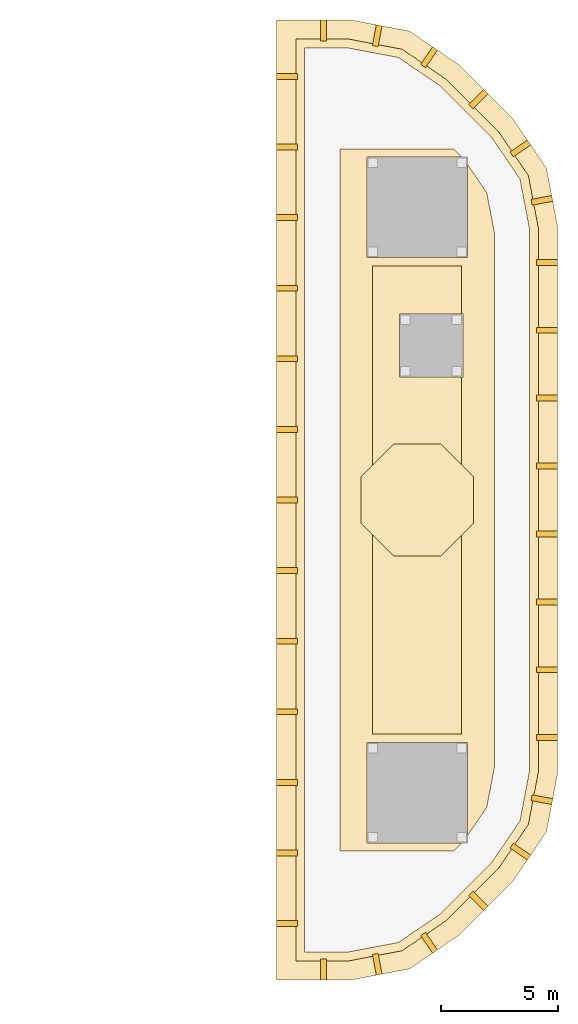
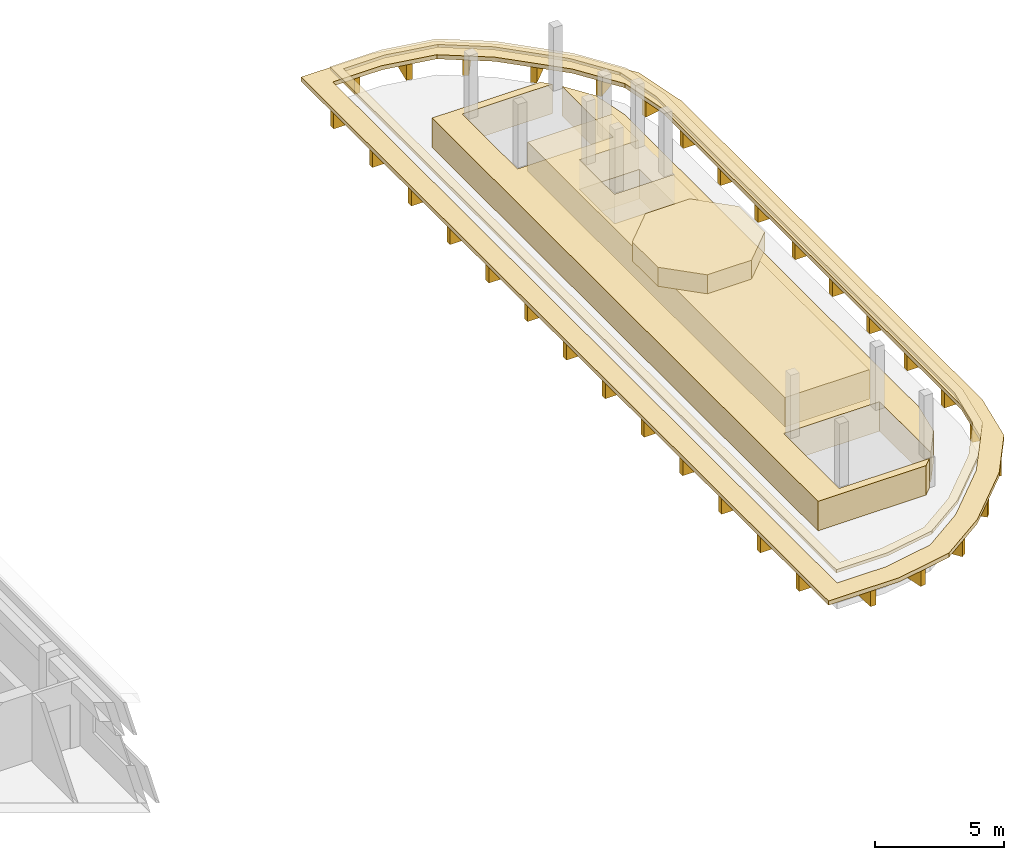
# One storey, part 8 of 8: 38 coverings.
"""IFC4 building model written with IfcOpenShell, lengths in metres."""

import ifcopenshell
import ifcopenshell.guid

model = None  # the IFC model being written
_history = None  # IfcOwnerHistory: only IFC2X3 demands one
_inside = {}  # id of a spatial element -> (the spatial element, [elements in it])
_under = {}  # id of a project, library or spatial element -> (it, [spatial elements below it])
_declared = {}  # id of a project -> (the project, [libraries it declares])
_typed = {}  # id of a type object -> (the type object, [elements of that type])
_made_of = {}  # id of a material, layer set ... -> (it, [elements and type objects made of it])


def new_model(schema):
    """Start an empty IFC model of exactly this schema.

    Asked for "IFC4X3", IfcOpenShell would pick the latest addendum, in which some entities
    have other attributes; the version numbers below select the first issue.
    IFC2X3 requires an IfcOwnerHistory on every rooted entity: one is made here for all.
    """
    global model, _history
    if schema == "IFC4X3":
        model = ifcopenshell.file(schema_version=(4, 3, 0, 0))
    else:
        model = ifcopenshell.file(schema=schema)
    _inside.clear()
    _under.clear()
    _declared.clear()
    _typed.clear()
    _made_of.clear()
    _history = None
    if model.schema == "IFC2X3":
        org = make("IfcOrganization", Name="unknown")
        user = make(
            "IfcPersonAndOrganization",
            ThePerson=make("IfcPerson", FamilyName="unknown"),
            TheOrganization=org,
        )
        app = make(
            "IfcApplication",
            ApplicationDeveloper=org,
            Version="unknown",
            ApplicationFullName="unknown",
            ApplicationIdentifier="unknown",
        )
        _history = make(
            "IfcOwnerHistory",
            OwningUser=user,
            OwningApplication=app,
            ChangeAction="ADDED",
            CreationDate=0,
        )
    return model


def make(cls, **values):
    """One entity of the class cls with the attributes given. An attribute that is None is left unset."""
    return model.create_entity(
        cls, **{name: value for name, value in values.items() if value is not None}
    )


def rooted(cls, **values):
    """An entity with a GlobalId (a new one), such as an element, a storey or a relation."""
    return make(cls, GlobalId=ifcopenshell.guid.new(), OwnerHistory=_history, **values)


def si_unit(unit_type, name, prefix=None):
    """IfcSIUnit, for example si_unit("LENGTHUNIT", "METRE", prefix="MILLI")."""
    return make("IfcSIUnit", UnitType=unit_type, Prefix=prefix, Name=name)


def assignment(units):
    """IfcUnitAssignment: the units of a project."""
    return None if units is None else make("IfcUnitAssignment", Units=units)


def point(xyz):
    """IfcCartesianPoint."""
    return None if xyz is None else make("IfcCartesianPoint", Coordinates=xyz)


def direction(xyz):
    """IfcDirection."""
    return None if xyz is None else make("IfcDirection", DirectionRatios=xyz)


def frame(location, z_axis=None, x_axis=None):
    """IfcAxis2Placement3D, a coordinate frame: its origin and axes. An axis left out is left unset."""
    return make(
        "IfcAxis2Placement3D",
        Location=point(location),
        Axis=direction(z_axis),
        RefDirection=direction(x_axis),
    )


def origin():
    """The frame at (0, 0, 0) with its axes left unset."""
    return frame((0.0, 0.0, 0.0))


def place(relative_to, where):
    """IfcLocalPlacement: puts the frame where relative to a parent placement (None: the world)."""
    return make(
        "IfcLocalPlacement", PlacementRelTo=relative_to, RelativePlacement=where
    )


def context(
    kind, dimensions, precision=None, world=None, true_north=None, identifier=None
):
    """IfcGeometricRepresentationContext, for example the 3D "Model" context."""
    return make(
        "IfcGeometricRepresentationContext",
        ContextIdentifier=identifier,
        ContextType=kind,
        CoordinateSpaceDimension=dimensions,
        Precision=precision,
        WorldCoordinateSystem=world,
        TrueNorth=true_north,
    )


def subcontext(parent, identifier, kind, view, scale=None):
    """IfcGeometricRepresentationSubContext, for example "Body" below "Model"."""
    return make(
        "IfcGeometricRepresentationSubContext",
        ContextIdentifier=identifier,
        ContextType=kind,
        ParentContext=parent,
        TargetScale=scale,
        TargetView=view,
    )


def project(units=None, contexts=None):
    """IfcProject with its units and contexts."""
    return rooted(
        "IfcProject",
        Name="project",
        RepresentationContexts=contexts,
        UnitsInContext=assignment(units),
    )


def spatial(cls, under=None, at=None, **own):
    """A site, building, storey or space (cls), placed at a placement, below another one or the project."""
    s = rooted(cls, ObjectPlacement=at, **own)
    if under is not None:
        _under.setdefault(under.id(), (under, []))[1].append(s)
    return s


def polyline(points):
    """IfcPolyline through the points."""
    return make("IfcPolyline", Points=[point(p) for p in points])


def outline(outer, holes=None, kind="AREA"):
    """IfcArbitraryClosedProfileDef: a profile drawn as a closed curve; with holes, ...WithVoids."""
    if holes is None:
        return make("IfcArbitraryClosedProfileDef", ProfileType=kind, OuterCurve=outer)
    return make(
        "IfcArbitraryProfileDefWithVoids",
        ProfileType=kind,
        OuterCurve=outer,
        InnerCurves=holes,
    )


def extrude(swept, where, along, depth):
    """IfcExtrudedAreaSolid: the profile swept, set in the frame where, extruded along a direction by depth."""
    return make(
        "IfcExtrudedAreaSolid",
        SweptArea=swept,
        Position=where,
        ExtrudedDirection=direction(along),
        Depth=depth,
    )


def shape(context_of_items, identifier, shape_type, items):
    """IfcShapeRepresentation: the items that make up one representation, for example the "Body"."""
    return make(
        "IfcShapeRepresentation",
        ContextOfItems=context_of_items,
        RepresentationIdentifier=identifier,
        RepresentationType=shape_type,
        Items=items,
    )


def material(Name=None, Category=None):
    """IfcMaterial."""
    return make("IfcMaterial", Name=Name, Category=Category)


def layer(
    of_material, thickness, ventilated=None, Name=None, Category=None, Priority=None
):
    """IfcMaterialLayer: one layer of a wall or slab, of a material (None: an air gap)."""
    return make(
        "IfcMaterialLayer",
        Material=of_material,
        LayerThickness=thickness,
        IsVentilated=ventilated,
        Name=Name,
        Category=Category,
        Priority=Priority,
    )


def layer_set(layers, Name=None):
    """IfcMaterialLayerSet."""
    return make("IfcMaterialLayerSet", MaterialLayers=layers, LayerSetName=Name)


def made_of(thing, what):
    """Note that an element or type object is made of a material, layer set ...; save() writes the relation."""
    if what is not None:
        _made_of.setdefault(what.id(), (what, []))[1].append(thing)
    return thing


def type_object(cls, material=None, **own):
    """A type object (cls), such as IfcWallType, which elements share."""
    return made_of(rooted(cls, **own), material)


def element(
    cls,
    number,
    at=None,
    inside=None,
    cuts=None,
    type_object=None,
    material=None,
    context=None,
    identifier="Body",
    shape_type=None,
    held_by="IfcProductDefinitionShape",
    body=None,
    shapes=None,
    **own,
):
    """One element of the class cls, such as IfcWall. Its Tag is "e" and its number.

    at: its placement. inside: the storey or other place that contains it. cuts: it is an
    opening in that element (IfcRelVoidsElement). A single representation is given by context,
    identifier, shape_type and body (its items); several are given by shapes. held_by: the class
    of the entity that holds the representations. save() writes the other relations.
    """
    e = rooted(cls, Tag="e%d" % number, ObjectPlacement=at, **own)
    if body is not None:
        shapes = [shape(context, identifier, shape_type, body)]
    if shapes is not None:
        e.Representation = make(held_by, Representations=shapes)
    if inside is not None:
        _inside.setdefault(inside.id(), (inside, []))[1].append(e)
    if cuts is not None:
        rooted(
            "IfcRelVoidsElement", RelatingBuildingElement=cuts, RelatedOpeningElement=e
        )
    if type_object is not None:
        _typed.setdefault(type_object.id(), (type_object, []))[1].append(e)
    return made_of(e, material)


def aggregate(whole, parts):
    """IfcRelAggregates: a whole, such as a stair, and the parts it consists of."""
    return rooted("IfcRelAggregates", RelatingObject=whole, RelatedObjects=parts)


def save(model, path):
    """Write the relations noted so far, then the file.

    IfcRelAggregates (storeys below a building ...), IfcRelContainedInSpatialStructure (elements
    in a storey), IfcRelDefinesByType, IfcRelAssociatesMaterial and IfcRelDeclares: one each for
    every whole, place, type object, material and project.
    """
    for whole, parts in _under.values():
        aggregate(whole, parts)
    for where, things in _inside.values():
        rooted(
            "IfcRelContainedInSpatialStructure",
            RelatedElements=things,
            RelatingStructure=where,
        )
    for kind, things in _typed.values():
        rooted("IfcRelDefinesByType", RelatedObjects=things, RelatingType=kind)
    for what, things in _made_of.values():
        rooted("IfcRelAssociatesMaterial", RelatedObjects=things, RelatingMaterial=what)
    for by, libraries in _declared.values():
        rooted("IfcRelDeclares", RelatingContext=by, RelatedDefinitions=libraries)
    model.write(path)


model = new_model("IFC4")

# Units and contexts
model_context = context("Model", 3, precision=1e-05, world=origin(), true_north=direction((0.0, 1.0)))
body_context = subcontext(model_context, "Body", "Model", "MODEL_VIEW")
ifc_project = project(units=[si_unit("LENGTHUNIT", "METRE"), si_unit("AREAUNIT", "SQUARE_METRE"), si_unit("VOLUMEUNIT", "CUBIC_METRE"), si_unit("PLANEANGLEUNIT", "RADIAN"), si_unit("MASSUNIT", "GRAM", prefix="KILO")], contexts=[model_context])

# Site, building, storey
site_placement = place(None, origin())
site = spatial("IfcSite", under=ifc_project, at=site_placement, CompositionType="ELEMENT")
building_placement = place(site_placement, origin())
building = spatial("IfcBuilding", under=site, at=building_placement, Name="Kiln Ring Residences", CompositionType="ELEMENT")
storey_placement = place(building_placement, frame((0.0, 0.0, 317.39990234375)))
storey = spatial("IfcBuildingStorey", under=building, at=storey_placement, Name="L82 Crown", CompositionType="ELEMENT", Elevation=317.39990234375)

# Coverings
ifc_material_1 = material(Name="Concrete C35/45, exposed aggregate finish", Category="concrete")
ifc_layer_1 = layer(ifc_material_1, 0.25)
ifc_layer_set_1 = layer_set([ifc_layer_1], Name="CHHAJJA BRACKET 250")
covering_type_1 = type_object("IfcCoveringType", Name="CHHAJJA BRACKET 250", PredefinedType="CLADDING", material=ifc_layer_set_1)
for number, where, z_axis, x_axis, name in (
    (1, (16.10009765625, -19.60009765625, 0.02001953125), (0.0, 0.0, 1.0), (0.0, -1.0, 0.0), "CHHAJJA BRACKET east peak"),
    (2, (18.31201171875, -19.387939453125, 0.02001953125), (0.0, 0.0, 1.0), (0.18744866362, -0.98227440082, 0.0), "CHHAJJA BRACKET east peak"),
    (3, (20.360595703125, -18.539306640625, 0.02001953125), (0.0, 0.0, 1.0), (0.562065144193, -0.827092965562, 0.0), "CHHAJJA BRACKET east peak"),
    (4, (22.39990234375, -16.800048828125, 0.02001953125), (0.0, 0.0, 1.0), (0.70724241114, -0.706971125213, 0.0), "CHHAJJA BRACKET east peak"),
    (5, (24.139404296875, -14.7607421875, 0.02001953125), (0.0, 0.0, 1.0), (0.827092965562, -0.562065144193, 0.0), "CHHAJJA BRACKET east peak"),
    (6, (24.98779296875, -12.712158203125, 0.02001953125), (0.0, 0.0, 1.0), (0.98227440082, -0.18744866362, 0.0), "CHHAJJA BRACKET east peak"),
):
    element("IfcCovering", number, at=place(storey_placement, frame(where, z_axis=z_axis, x_axis=x_axis)), inside=storey, type_object=covering_type_1, Name=name, PredefinedType="CLADDING", context=body_context, shape_type="SweptSolid", body=[
        extrude(outline(polyline([(0.0, 0.0), (0.89990234375, 0.0), (0.89990234375, 0.72998046875), (0.0, 0.72998046875), (0.0, 0.0), (0.0, 0.0)])), frame((0.0, 0.125, 0.0), z_axis=(0.0, -1.0, 0.0), x_axis=(1.0, 0.0, 0.0)), (0.0, 0.0, 1.0), 0.25),
    ])
for number, where, z_axis, x_axis, name in (
    (7, (25.199951171875, -10.14990234375, 0.02001953125), (0.0, 0.0, 1.0), (1.0, 0.0, 0.0), "CHHAJJA BRACKET east peak"),
    (8, (25.199951171875, -7.25, 0.02001953125), (0.0, 0.0, 1.0), (1.0, 0.0, 0.0), "CHHAJJA BRACKET east peak"),
    (9, (25.199951171875, -4.35009765625, 0.02001953125), (0.0, 0.0, 1.0), (1.0, 0.0, 0.0), "CHHAJJA BRACKET east peak"),
    (10, (25.199951171875, -1.449951171875, 0.02001953125), (0.0, 0.0, 1.0), (1.0, 0.0, 0.0), "CHHAJJA BRACKET east peak"),
    (11, (25.199951171875, 1.449951171875, 0.02001953125), (0.0, 0.0, 1.0), (1.0, 0.0, 0.0), "CHHAJJA BRACKET east peak"),
    (12, (25.199951171875, 4.35009765625, 0.02001953125), (0.0, 0.0, 1.0), (1.0, 0.0, 0.0), "CHHAJJA BRACKET east peak"),
    (13, (25.199951171875, 7.25, 0.02001953125), (0.0, 0.0, 1.0), (1.0, 0.0, 0.0), "CHHAJJA BRACKET east peak"),
    (14, (25.199951171875, 10.14990234375, 0.02001953125), (0.0, 0.0, 1.0), (1.0, 0.0, 0.0), "CHHAJJA BRACKET east peak"),
):
    element("IfcCovering", number, at=place(storey_placement, frame(where, z_axis=z_axis, x_axis=x_axis)), inside=storey, type_object=covering_type_1, Name=name, PredefinedType="CLADDING", context=body_context, shape_type="SweptSolid", body=[
        extrude(outline(polyline([(0.0, 0.0), (0.900146484375, 0.0), (0.89990234375, 0.72998046875), (0.0, 0.72998046875), (0.0, 0.0), (0.0, 0.0)])), frame((0.0, 0.125, 0.0), z_axis=(0.0, -1.0, 0.0), x_axis=(1.0, 0.0, 0.0)), (0.0, 0.0, 1.0), 0.25),
    ])
for number, where, z_axis, x_axis, name in (
    (15, (24.98779296875, 12.712158203125, 0.02001953125), (0.0, 0.0, 1.0), (0.98227440082, 0.18744866362, 0.0), "CHHAJJA BRACKET east peak"),
    (16, (24.139404296875, 14.7607421875, 0.02001953125), (0.0, 0.0, 1.0), (0.827092965562, 0.562065144193, 0.0), "CHHAJJA BRACKET east peak"),
    (17, (22.39990234375, 16.800048828125, 0.02001953125), (0.0, 0.0, 1.0), (0.70724241114, 0.706971125213, 0.0), "CHHAJJA BRACKET east peak"),
    (18, (20.360595703125, 18.539306640625, 0.02001953125), (0.0, 0.0, 1.0), (0.562065144193, 0.827092965562, 0.0), "CHHAJJA BRACKET east peak"),
    (19, (18.31201171875, 19.387939453125, 0.02001953125), (0.0, 0.0, 1.0), (0.18744866362, 0.98227440082, 0.0), "CHHAJJA BRACKET east peak"),
    (20, (16.10009765625, 19.60009765625, 0.02001953125), (0.0, 0.0, 1.0), (0.0, 1.0, 0.0), "CHHAJJA BRACKET east peak"),
    (21, (15.0, 18.09228515625, 0.02001953125), (0.0, 0.0, 1.0), (-1.0, 0.0, 0.0), "CHHAJJA BRACKET east peak"),
    (22, (15.0, 15.076904296875, 0.02001953125), (0.0, 0.0, 1.0), (-1.0, 0.0, 0.0), "CHHAJJA BRACKET east peak"),
    (23, (15.0, 12.0615234375, 0.02001953125), (0.0, 0.0, 1.0), (-1.0, 0.0, 0.0), "CHHAJJA BRACKET east peak"),
    (24, (15.0, 9.046142578125, 0.02001953125), (0.0, 0.0, 1.0), (-1.0, 0.0, 0.0), "CHHAJJA BRACKET east peak"),
    (25, (15.0, 6.03076171875, 0.02001953125), (0.0, 0.0, 1.0), (-1.0, 0.0, 0.0), "CHHAJJA BRACKET east peak"),
    (26, (15.0, 3.015380859375, 0.02001953125), (0.0, 0.0, 1.0), (-1.0, 0.0, 0.0), "CHHAJJA BRACKET east peak"),
    (27, (15.0, 0.0, 0.02001953125), (0.0, 0.0, 1.0), (-1.0, 0.0, 0.0), "CHHAJJA BRACKET east peak"),
    (28, (15.0, -3.015380859375, 0.02001953125), (0.0, 0.0, 1.0), (-1.0, 0.0, 0.0), "CHHAJJA BRACKET east peak"),
    (29, (15.0, -6.03076171875, 0.02001953125), (0.0, 0.0, 1.0), (-1.0, 0.0, 0.0), "CHHAJJA BRACKET east peak"),
    (30, (15.0, -9.046142578125, 0.02001953125), (0.0, 0.0, 1.0), (-1.0, 0.0, 0.0), "CHHAJJA BRACKET east peak"),
    (31, (15.0, -12.0615234375, 0.02001953125), (0.0, 0.0, 1.0), (-1.0, 0.0, 0.0), "CHHAJJA BRACKET east peak"),
    (32, (15.0, -15.076904296875, 0.02001953125), (0.0, 0.0, 1.0), (-1.0, 0.0, 0.0), "CHHAJJA BRACKET east peak"),
    (33, (15.0, -18.09228515625, 0.02001953125), (0.0, 0.0, 1.0), (-1.0, 0.0, 0.0), "CHHAJJA BRACKET east peak"),
):
    element("IfcCovering", number, at=place(storey_placement, frame(where, z_axis=z_axis, x_axis=x_axis)), inside=storey, type_object=covering_type_1, Name=name, PredefinedType="CLADDING", context=body_context, shape_type="SweptSolid", body=[
        extrude(outline(polyline([(0.0, 0.0), (0.89990234375, 0.0), (0.89990234375, 0.72998046875), (0.0, 0.72998046875), (0.0, 0.0), (0.0, 0.0)])), frame((0.0, 0.125, 0.0), z_axis=(0.0, -1.0, 0.0), x_axis=(1.0, 0.0, 0.0)), (0.0, 0.0, 1.0), 0.25),
    ])
ifc_material_2 = material(Name="Concrete C35/45, exposed aggregate finish", Category="concrete")
ifc_layer_2 = layer(ifc_material_2, 0.199951171875)
ifc_layer_set_2 = layer_set([ifc_layer_2], Name="CHHAJJA RING 200")
covering_type_2 = type_object("IfcCoveringType", Name="CHHAJJA RING 200", PredefinedType="CLADDING", material=ifc_layer_set_2)
covering_1_placement = place(storey_placement, frame((0.0, 0.0, 0.75)))
element("IfcCovering", 34, at=covering_1_placement, inside=storey, type_object=covering_type_2, Name="CHHAJJA RING east peak", PredefinedType="CLADDING", context=body_context, shape_type="SweptSolid", body=[
    extrude(outline(polyline([(14.10009765625, 20.5), (14.10009765625, -20.5), (17.28515625, -20.5), (19.77587890625, -20.02490234375), (21.873291015625, -18.599609375), (24.199462890625, -16.273193359375), (25.625, -14.176025390625), (26.10009765625, -11.68505859375), (26.10009765625, 11.68505859375), (25.625, 14.176025390625), (24.199462890625, 16.273193359375), (21.873291015625, 18.599609375), (19.77587890625, 20.02490234375), (17.28515625, 20.5), (14.10009765625, 20.5)]), holes=[polyline([(17.199951171875, -19.60009765625), (15.0, -19.60009765625), (15.0, 19.60009765625), (17.199951171875, 19.60009765625), (19.42431640625, 19.17578125), (21.297119140625, 17.90283203125), (23.5029296875, 15.697021484375), (24.775634765625, 13.82421875), (25.199951171875, 11.60009765625), (25.199951171875, -11.60009765625), (24.775634765625, -13.82421875), (23.5029296875, -15.697021484375), (21.297119140625, -17.90283203125), (19.42431640625, -19.17578125), (17.199951171875, -19.60009765625)])]), origin(), (0.0, 0.0, 1.0), 0.2001953125),
])
ifc_material_3 = material(Name="Brick masonry, dark clay brick", Category="masonry")
ifc_layer_3 = layer(ifc_material_3, 1.0)
ifc_layer_set_3 = layer_set([ifc_layer_3], Name="KILN STACK BRICK")
covering_type_3 = type_object("IfcCoveringType", Name="KILN STACK BRICK", PredefinedType="CLADDING", material=ifc_layer_set_3)
covering_2_placement = place(storey_placement, origin())
element("IfcCovering", 35, at=covering_2_placement, inside=storey, type_object=covering_type_3, Name="KILN PLINTH east peak", PredefinedType="CLADDING", context=body_context, shape_type="SweptSolid", body=[
    extrude(outline(polyline([(17.949951171875, 14.64990234375), (22.00439453125, 14.64990234375), (21.654296875, 15.0), (16.800048828125, 15.0), (16.800048828125, -15.0), (21.654296875, -15.0), (22.00439453125, -14.64990234375), (17.949951171875, -14.64990234375), (17.949951171875, -10.35009765625), (22.25, -10.35009765625), (22.25, -14.33837890625), (23.077392578125, -13.120849609375), (23.39990234375, -11.429931640625), (23.39990234375, 11.429931640625), (23.077392578125, 13.120849609375), (22.25, 14.33837890625), (22.25, 10.35009765625), (17.949951171875, 10.35009765625), (17.949951171875, 14.64990234375)]), holes=[polyline([(22.050048828125, 7.949951171875), (22.050048828125, 5.25), (19.35009765625, 5.25), (19.35009765625, 7.949951171875), (22.050048828125, 7.949951171875)])]), origin(), (0.0, 0.0, 1.0), 1.400146484375),
])
covering_3_placement = place(storey_placement, frame((0.0, 0.0, 1.400146484375)))
element("IfcCovering", 36, at=covering_3_placement, inside=storey, type_object=covering_type_3, Name="KILN PLINTH east peak", PredefinedType="CLADDING", context=body_context, shape_type="SweptSolid", body=[
    extrude(outline(polyline([(22.0, 10.0), (18.199951171875, 10.0), (18.199951171875, -10.0), (22.0, -10.0), (22.0, 5.25), (19.35009765625, 5.25), (19.35009765625, 7.949951171875), (22.0, 7.949951171875), (22.0, 10.0)])), origin(), (0.0, 0.0, 1.0), 1.39990234375),
])
covering_4_placement = place(storey_placement, frame((0.0, 0.0, 2.800048828125)))
element("IfcCovering", 37, at=covering_4_placement, inside=storey, type_object=covering_type_3, Name="KILN STACK east peak", PredefinedType="CLADDING", context=body_context, shape_type="SweptSolid", body=[
    extrude(outline(polyline([(22.5, 0.994140625), (21.093994140625, 2.39990234375), (19.10595703125, 2.39990234375), (17.699951171875, 0.994140625), (17.699951171875, -0.994140625), (19.10595703125, -2.39990234375), (21.093994140625, -2.39990234375), (22.5, -0.994140625), (22.5, 0.994140625)])), origin(), (0.0, 0.0, 1.0), 0.900146484375),
])
ifc_material_4 = material(Name="Concrete C35/45, exposed aggregate finish", Category="concrete")
ifc_layer_4 = layer(ifc_material_4, 0.14990234375)
ifc_layer_set_4 = layer_set([ifc_layer_4], Name="PARAPET COPING 150")
covering_type_4 = type_object("IfcCoveringType", Name="PARAPET COPING 150", PredefinedType="CLADDING", material=ifc_layer_set_4)
covering_5_placement = place(storey_placement, frame((0.0, 0.0, 1.5)))
element("IfcCovering", 38, at=covering_5_placement, inside=storey, type_object=covering_type_4, Name="PARAPET COPING east peak", PredefinedType="CLADDING", context=body_context, shape_type="SweptSolid", body=[
    extrude(outline(polyline([(14.919921875, 19.679931640625), (14.919921875, -19.679931640625), (17.20751953125, -19.679931640625), (19.45556640625, -19.251220703125), (21.348388671875, -17.96484375), (23.56494140625, -15.748291015625), (24.851318359375, -13.85546875), (25.280029296875, -11.607666015625), (25.280029296875, 11.607666015625), (24.851318359375, 13.85546875), (23.56494140625, 15.748291015625), (21.348388671875, 17.96484375), (19.45556640625, 19.251220703125), (17.20751953125, 19.679931640625), (14.919921875, 19.679931640625)]), holes=[polyline([(17.171630859375, -19.300048828125), (15.300048828125, -19.300048828125), (15.300048828125, 19.300048828125), (17.171630859375, 19.300048828125), (19.306884765625, 18.892578125), (21.10498046875, 17.6708984375), (23.270751953125, 15.5048828125), (24.49267578125, 13.70703125), (24.89990234375, 11.571533203125), (24.89990234375, -11.571533203125), (24.49267578125, -13.70703125), (23.270751953125, -15.5048828125), (21.10498046875, -17.6708984375), (19.306884765625, -18.892578125), (17.171630859375, -19.300048828125)])]), origin(), (0.0, 0.0, 1.0), 0.150146484375),
])

save(model, "model.ifc")
